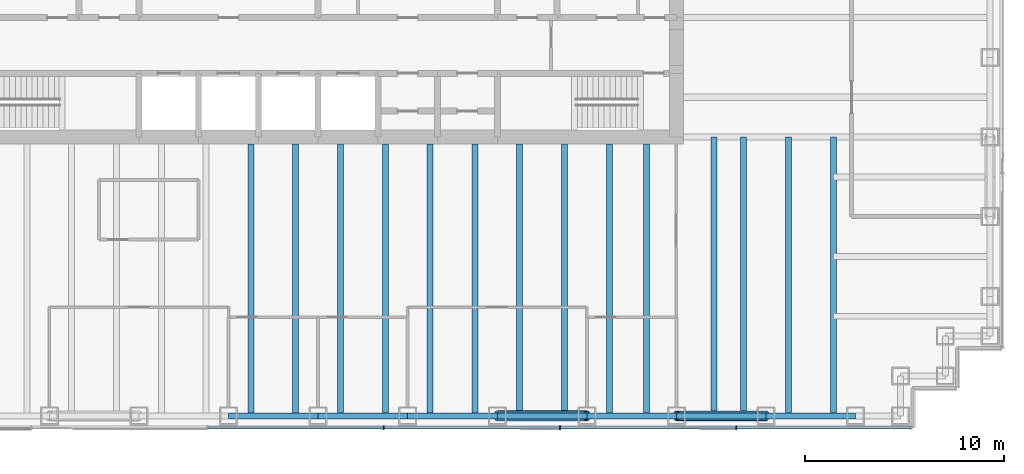
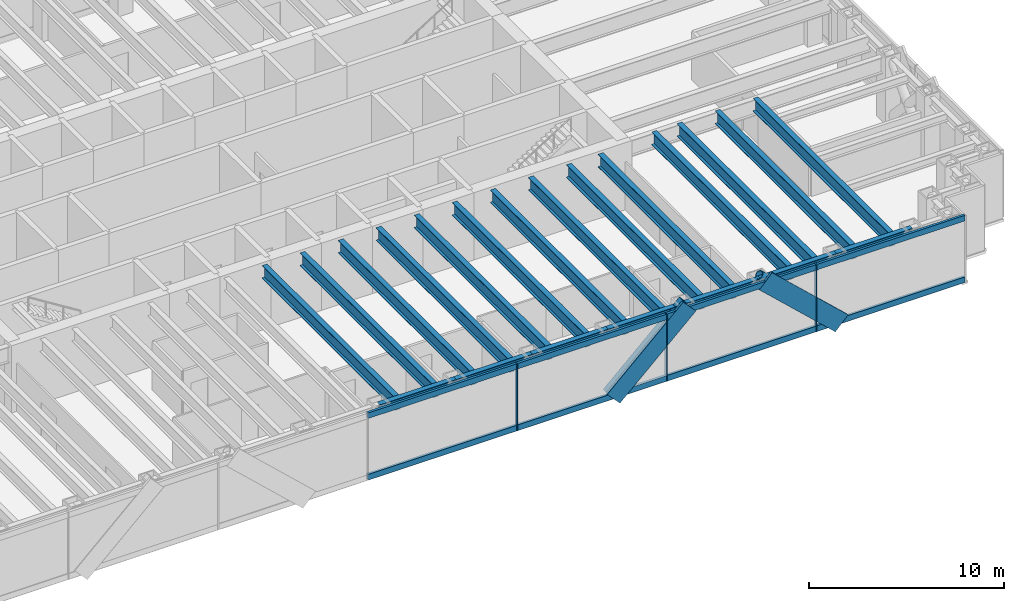
# One storey, part 4 of 17: 21 beams, 15 members, 1 element without a shape of its own.
"""IFC4 building model written with IfcOpenShell, lengths in metres."""

from ifc_helpers import new_model, si_unit, direction, frame, origin, origin_2d, place, context, subcontext, project, spatial, rectangle, hollow_circle, i_section, extrude, material, material_profile, profile_set, type_object, element, aggregate, save


model = new_model("IFC4")

# Units and contexts
model_context = context("Model", 3, precision=1e-05, world=origin(), true_north=direction((0.0, 1.0)))
body_context = subcontext(model_context, "Body", "Model", "MODEL_VIEW")
ifc_project = project(units=[si_unit("LENGTHUNIT", "METRE"), si_unit("AREAUNIT", "SQUARE_METRE"), si_unit("VOLUMEUNIT", "CUBIC_METRE"), si_unit("PLANEANGLEUNIT", "RADIAN"), si_unit("MASSUNIT", "GRAM", prefix="KILO")], contexts=[model_context])

# Site, building, storey
site_placement = place(None, origin())
site = spatial("IfcSite", under=ifc_project, at=site_placement, CompositionType="ELEMENT")
building_placement = place(site_placement, origin())
building = spatial("IfcBuilding", under=site, at=building_placement, Name="Rheinbord Bourse Tower", CompositionType="ELEMENT")
storey_placement = place(building_placement, frame((0.0, 0.0, 283.699951171875)))
storey = spatial("IfcBuildingStorey", under=building, at=storey_placement, Name="L64", CompositionType="ELEMENT", Elevation=283.699951171875)

# Curtain wall, members
ifc_material_1 = material(Name="Dark glass and black aluminium", Category="aluminium")
curtain_wall_type = type_object("IfcCurtainWallType", Name="CW3 DARK GLASS CURTAIN WALL", PredefinedType="USERDEFINED", material=ifc_material_1)
curtain_wall_placement = place(storey_placement, origin())
curtain_wall = element("IfcCurtainWall", 1, at=curtain_wall_placement, inside=storey, type_object=curtain_wall_type, Name="Curtain wall CW3 S L64", ObjectType="UNITISED CURTAIN WALL", PredefinedType="USERDEFINED")
ifc_material_2 = material(Name="Black anodised aluminium", Category="aluminium")
ifc_material_profile_1 = material_profile(ifc_material_2, rectangle(XDim=0.14990234375, YDim=1.10791015625, at=origin_2d()), Name="CW3 DIAGONAL MULLION 1108x150")
ifc_profile_set_1 = profile_set([ifc_material_profile_1], Name="Black anodised aluminium")
member_type_1 = type_object("IfcMemberType", Name="CW3 BLACK DIAGONAL MULLION", PredefinedType="USERDEFINED", material=ifc_profile_set_1)
member_1_placement = place(storey_placement, frame((45.0, 1.39990234375, 0.0), z_axis=(0.73105922506, 0.0, 0.682314010889), x_axis=(0.0, 1.0, 0.0)))
member_1 = element("IfcMember", 2, at=member_1_placement, type_object=member_type_1, Name="CW3 diagonal mullion a", ObjectType="DIAGONAL MULLION", PredefinedType="USERDEFINED", context=body_context, shape_type="SweptSolid", body=[
    extrude(rectangle(XDim=0.14990234375, YDim=1.10791015625, at=origin_2d()), origin(), (0.0, 0.0, 1.0), 6.155517578125),
])
member_2_placement = place(storey_placement, frame((58.5, 1.39990234375, 0.0), z_axis=(-0.73105922506, 0.0, 0.682314010889), x_axis=(0.0, -1.0, 0.0)))
member_2 = element("IfcMember", 3, at=member_2_placement, type_object=member_type_1, Name="CW3 diagonal mullion c", ObjectType="DIAGONAL MULLION", PredefinedType="USERDEFINED", context=body_context, shape_type="SweptSolid", body=[
    extrude(rectangle(XDim=0.14990234375, YDim=1.10791015625, at=origin_2d()), origin(), (0.0, 0.0, 1.0), 6.155517578125),
])
ifc_material_3 = material(Name="Black anodised aluminium", Category="aluminium")
ifc_material_profile_2 = material_profile(ifc_material_3, rectangle(XDim=0.199951171875, YDim=0.06494140625, at=origin_2d()), Name="CW3 MULLION 65x200")
ifc_profile_set_2 = profile_set([ifc_material_profile_2], Name="Black anodised aluminium")
member_type_2 = type_object("IfcMemberType", Name="CW3 BLACK MULLION", PredefinedType="MULLION", material=ifc_profile_set_2)
member_3_placement = place(storey_placement, frame((39.300048828125, 1.39990234375, 0.0), z_axis=(0.0, 0.0, 1.0), x_axis=(0.0, 1.0, 0.0)))
member_3 = element("IfcMember", 4, at=member_3_placement, type_object=member_type_2, Name="CW3 mullion 5", PredefinedType="MULLION", context=body_context, shape_type="SweptSolid", body=[
    extrude(rectangle(XDim=0.199951171875, YDim=0.06494140625, at=origin_2d()), origin(), (0.0, 0.0, 1.0), 4.199951171875),
])
member_4_placement = place(storey_placement, frame((48.14990234375, 1.39990234375, 0.0), z_axis=(0.0, 0.0, 1.0), x_axis=(0.0, 1.0, 0.0)))
member_4 = element("IfcMember", 5, at=member_4_placement, type_object=member_type_2, Name="CW3 mullion 6", PredefinedType="MULLION", context=body_context, shape_type="SweptSolid", body=[
    extrude(rectangle(XDim=0.199951171875, YDim=0.06494140625, at=origin_2d()), origin(), (0.0, 0.0, 1.0), 4.199951171875),
])
member_5_placement = place(storey_placement, frame((57.0, 1.39990234375, 0.0), z_axis=(0.0, 0.0, 1.0), x_axis=(0.0, 1.0, 0.0)))
member_5 = element("IfcMember", 6, at=member_5_placement, type_object=member_type_2, Name="CW3 mullion 7", PredefinedType="MULLION", context=body_context, shape_type="SweptSolid", body=[
    extrude(rectangle(XDim=0.199951171875, YDim=0.06494140625, at=origin_2d()), origin(), (0.0, 0.0, 1.0), 4.199951171875),
])
ifc_material_4 = material(Name="Black anodised aluminium", Category="aluminium")
ifc_material_profile_3 = material_profile(ifc_material_4, rectangle(XDim=0.14990234375, YDim=0.35009765625, at=origin_2d()), Name="CW3 TRANSOM 350x150")
ifc_profile_set_3 = profile_set([ifc_material_profile_3], Name="Black anodised aluminium")
member_type_3 = type_object("IfcMemberType", Name="CW3 BLACK TRANSOM", PredefinedType="USERDEFINED", material=ifc_profile_set_3)
member_6_placement = place(storey_placement, frame((30.482421875, 1.39990234375, 0.175048828125), z_axis=(1.0, 0.0, 0.0), x_axis=(0.0, 1.0, 0.0)))
member_6 = element("IfcMember", 7, at=member_6_placement, type_object=member_type_3, Name="CW3 transom 4.1", ObjectType="TRANSOM", PredefinedType="USERDEFINED", context=body_context, shape_type="SweptSolid", body=[
    extrude(rectangle(XDim=0.14990234375, YDim=0.35009765625, at=origin_2d()), origin(), (0.0, 0.0, 1.0), 8.78515625),
])
member_7_placement = place(storey_placement, frame((30.482421875, 1.39990234375, 4.025146484375), z_axis=(1.0, 0.0, 0.0), x_axis=(0.0, 1.0, 0.0)))
member_7 = element("IfcMember", 8, at=member_7_placement, type_object=member_type_3, Name="CW3 transom 4.2", ObjectType="TRANSOM", PredefinedType="USERDEFINED", context=body_context, shape_type="SweptSolid", body=[
    extrude(rectangle(XDim=0.14990234375, YDim=0.35009765625, at=origin_2d()), origin(), (0.0, 0.0, 1.0), 8.78515625),
])
member_8_placement = place(storey_placement, frame((39.33251953125, 1.39990234375, 0.175048828125), z_axis=(1.0, 0.0, 0.0), x_axis=(0.0, 1.0, 0.0)))
member_8 = element("IfcMember", 9, at=member_8_placement, type_object=member_type_3, Name="CW3 transom 5.1", ObjectType="TRANSOM", PredefinedType="USERDEFINED", context=body_context, shape_type="SweptSolid", body=[
    extrude(rectangle(XDim=0.14990234375, YDim=0.35009765625, at=origin_2d()), origin(), (0.0, 0.0, 1.0), 8.784912109375),
])
member_9_placement = place(storey_placement, frame((39.33251953125, 1.39990234375, 4.025146484375), z_axis=(1.0, 0.0, 0.0), x_axis=(0.0, 1.0, 0.0)))
member_9 = element("IfcMember", 10, at=member_9_placement, type_object=member_type_3, Name="CW3 transom 5.2", ObjectType="TRANSOM", PredefinedType="USERDEFINED", context=body_context, shape_type="SweptSolid", body=[
    extrude(rectangle(XDim=0.14990234375, YDim=0.35009765625, at=origin_2d()), origin(), (0.0, 0.0, 1.0), 8.784912109375),
])
member_10_placement = place(storey_placement, frame((48.1826171875, 1.39990234375, 0.175048828125), z_axis=(1.0, 0.0, 0.0), x_axis=(0.0, 1.0, 0.0)))
member_10 = element("IfcMember", 11, at=member_10_placement, type_object=member_type_3, Name="CW3 transom 6.1", ObjectType="TRANSOM", PredefinedType="USERDEFINED", context=body_context, shape_type="SweptSolid", body=[
    extrude(rectangle(XDim=0.14990234375, YDim=0.35009765625, at=origin_2d()), origin(), (0.0, 0.0, 1.0), 8.784912109375),
])
member_11_placement = place(storey_placement, frame((48.1826171875, 1.39990234375, 4.025146484375), z_axis=(1.0, 0.0, 0.0), x_axis=(0.0, 1.0, 0.0)))
member_11 = element("IfcMember", 12, at=member_11_placement, type_object=member_type_3, Name="CW3 transom 6.2", ObjectType="TRANSOM", PredefinedType="USERDEFINED", context=body_context, shape_type="SweptSolid", body=[
    extrude(rectangle(XDim=0.14990234375, YDim=0.35009765625, at=origin_2d()), origin(), (0.0, 0.0, 1.0), 8.784912109375),
])
member_12_placement = place(storey_placement, frame((57.032470703125, 1.39990234375, 0.175048828125), z_axis=(1.0, 0.0, 0.0), x_axis=(0.0, 1.0, 0.0)))
member_12 = element("IfcMember", 13, at=member_12_placement, type_object=member_type_3, Name="CW3 transom 7.1", ObjectType="TRANSOM", PredefinedType="USERDEFINED", context=body_context, shape_type="SweptSolid", body=[
    extrude(rectangle(XDim=0.14990234375, YDim=0.35009765625, at=origin_2d()), origin(), (0.0, 0.0, 1.0), 8.75244140625),
])
member_13_placement = place(storey_placement, frame((57.032470703125, 1.39990234375, 4.025146484375), z_axis=(1.0, 0.0, 0.0), x_axis=(0.0, 1.0, 0.0)))
member_13 = element("IfcMember", 14, at=member_13_placement, type_object=member_type_3, Name="CW3 transom 7.2", ObjectType="TRANSOM", PredefinedType="USERDEFINED", context=body_context, shape_type="SweptSolid", body=[
    extrude(rectangle(XDim=0.14990234375, YDim=0.35009765625, at=origin_2d()), origin(), (0.0, 0.0, 1.0), 8.75244140625),
])
aggregate(curtain_wall, [member_3, member_4, member_5, member_6, member_7, member_8, member_9, member_10, member_11, member_12, member_13, member_1, member_2])

# Beams
ifc_material_5 = material(Name="Steel S460", Category="steel")
ifc_material_profile_4 = material_profile(ifc_material_5, i_section(OverallWidth=0.300048828125, OverallDepth=0.800048828125, WebThickness=0.017578125, FlangeThickness=0.032958984375, at=origin_2d()), Name="HEB 800")
ifc_profile_set_4 = profile_set([ifc_material_profile_4], Name="Steel S460")
beam_type_1 = type_object("IfcBeamType", Name="FLOOR BEAM HEB 800", PredefinedType="BEAM", material=ifc_profile_set_4)
for number, where, z_axis, x_axis, name in (
    (15, (32.625, 2.0, 3.64013671875), (0.0, 1.0, 0.0), (-1.0, 0.0, 0.0), "Floor beam S-31.5a L65"),
    (16, (34.875, 2.0, 3.64013671875), (0.0, 1.0, 0.0), (-1.0, 0.0, 0.0), "Floor beam S-31.5b L65"),
    (17, (37.125, 2.0, 3.64013671875), (0.0, 1.0, 0.0), (-1.0, 0.0, 0.0), "Floor beam S-36a L65"),
    (18, (39.375, 2.0, 3.64013671875), (0.0, 1.0, 0.0), (-1.0, 0.0, 0.0), "Floor beam S-36b L65"),
    (19, (41.625, 2.0, 3.64013671875), (0.0, 1.0, 0.0), (-1.0, 0.0, 0.0), "Floor beam S-40.5a L65"),
    (20, (43.875, 2.0, 3.64013671875), (0.0, 1.0, 0.0), (-1.0, 0.0, 0.0), "Floor beam S-40.5b L65"),
    (21, (46.125, 2.0, 3.64013671875), (0.0, 1.0, 0.0), (-1.0, 0.0, 0.0), "Floor beam S-45a L65"),
    (22, (48.375, 2.0, 3.64013671875), (0.0, 1.0, 0.0), (-1.0, 0.0, 0.0), "Floor beam S-45b L65"),
    (23, (50.625, 2.0, 3.64013671875), (0.0, 1.0, 0.0), (-1.0, 0.0, 0.0), "Floor beam S-49.5a L65"),
    (24, (52.5, 2.0, 3.64013671875), (0.0, 1.0, 0.0), (-1.0, 0.0, 0.0), "Floor beam S-49.5b L65"),
):
    element("IfcBeam", number, at=place(storey_placement, frame(where, z_axis=z_axis, x_axis=x_axis)), inside=storey, type_object=beam_type_1, Name=name, PredefinedType="BEAM", context=body_context, shape_type="SweptSolid", body=[
        extrude(i_section(OverallWidth=0.300048828125, OverallDepth=0.800048828125, WebThickness=0.017578125, FlangeThickness=0.032958984375, at=origin_2d()), origin(), (0.0, 0.0, 1.0), 13.64990234375),
    ])
for number, where, z_axis, x_axis, name in (
    (25, (55.875, 2.0, 3.64013671875), (0.0, 1.0, 0.0), (-1.0, 0.0, 0.0), "Floor beam S-54a L65"),
    (26, (57.375, 2.0, 3.64013671875), (0.0, 1.0, 0.0), (-1.0, 0.0, 0.0), "Floor beam S-54b L65"),
    (27, (59.625, 2.0, 3.64013671875), (0.0, 1.0, 0.0), (-1.0, 0.0, 0.0), "Floor beam S-58.5a L65"),
    (28, (61.875, 2.0, 3.64013671875), (0.0, 1.0, 0.0), (-1.0, 0.0, 0.0), "Floor beam S-58.5b L65"),
):
    element("IfcBeam", number, at=place(storey_placement, frame(where, z_axis=z_axis, x_axis=x_axis)), inside=storey, type_object=beam_type_1, Name=name, PredefinedType="BEAM", context=body_context, shape_type="SweptSolid", body=[
        extrude(i_section(OverallWidth=0.300048828125, OverallDepth=0.800048828125, WebThickness=0.017578125, FlangeThickness=0.032958984375, at=origin_2d()), origin(), (0.0, 0.0, 1.0), 14.0),
    ])

# Members
ifc_material_6 = material(Name="Steel S460", Category="steel")
ifc_material_profile_5 = material_profile(ifc_material_6, hollow_circle(Radius=0.25390625, WallThickness=0.030029296875, at=origin_2d()), Name="CHS 508x30")
ifc_profile_set_5 = profile_set([ifc_material_profile_5], Name="Steel S460")
member_type_4 = type_object("IfcMemberType", Name="MEGABRACE CHS 508x30", PredefinedType="BRACE", material=ifc_profile_set_5)
for number, where, z_axis, x_axis, name in (
    (29, (45.0, 2.0, 0.0), (0.73105922506, 0.0, 0.682314010889), (0.0, 1.0, 0.0), "Megabrace S face line a L64"),
    (30, (58.5, 2.0, 0.0), (-0.73105922506, 0.0, 0.682314010889), (0.0, -1.0, 0.0), "Megabrace S face line c L64"),
):
    element("IfcMember", number, at=place(storey_placement, frame(where, z_axis=z_axis, x_axis=x_axis)), inside=storey, type_object=member_type_4, Name=name, PredefinedType="BRACE", context=body_context, shape_type="SweptSolid", body=[
        extrude(hollow_circle(Radius=0.25390625, WallThickness=0.030029296875, at=origin_2d()), origin(), (0.0, 0.0, 1.0), 6.155517578125),
    ])

# Beams
ifc_material_7 = material(Name="Steel S460", Category="steel")
ifc_material_profile_6 = material_profile(ifc_material_7, i_section(OverallWidth=0.300048828125, OverallDepth=0.550048828125, WebThickness=0.014892578125, FlangeThickness=0.029052734375, at=origin_2d()), Name="HEB 550")
ifc_profile_set_6 = profile_set([ifc_material_profile_6], Name="Steel S460")
beam_type_2 = type_object("IfcBeamType", Name="SPANDREL HEB 550", PredefinedType="SPANDREL", material=ifc_profile_set_6)
for number, where, z_axis, x_axis, name in (
    (31, (31.5, 2.0, 3.76513671875), (1.0, 0.0, 0.0), (0.0, 1.0, 0.0), "Spandrel S-31.5-S-36 under L65"),
    (32, (36.0, 2.0, 3.76513671875), (1.0, 0.0, 0.0), (0.0, 1.0, 0.0), "Spandrel S-36-S-40.5 under L65"),
    (33, (40.5, 2.0, 3.76513671875), (1.0, 0.0, 0.0), (0.0, 1.0, 0.0), "Spandrel S-40.5-S-45 under L65"),
    (34, (45.0, 2.0, 3.76513671875), (1.0, 0.0, 0.0), (0.0, 1.0, 0.0), "Spandrel S-45-S-49.5 under L65"),
    (35, (49.5, 2.0, 3.76513671875), (1.0, 0.0, 0.0), (0.0, 1.0, 0.0), "Spandrel S-49.5-S-54 under L65"),
    (36, (54.0, 2.0, 3.76513671875), (1.0, 0.0, 0.0), (0.0, 1.0, 0.0), "Spandrel S-54-S-58.5 under L65"),
    (37, (58.5, 2.0, 3.76513671875), (1.0, 0.0, 0.0), (0.0, 1.0, 0.0), "Spandrel S-58.5-S-63 under L65"),
):
    element("IfcBeam", number, at=place(storey_placement, frame(where, z_axis=z_axis, x_axis=x_axis)), inside=storey, type_object=beam_type_2, Name=name, PredefinedType="SPANDREL", context=body_context, shape_type="SweptSolid", body=[
        extrude(i_section(OverallWidth=0.300048828125, OverallDepth=0.550048828125, WebThickness=0.014892578125, FlangeThickness=0.029052734375, at=origin_2d()), origin(), (0.0, 0.0, 1.0), 4.5),
    ])

save(model, "model.ifc")
